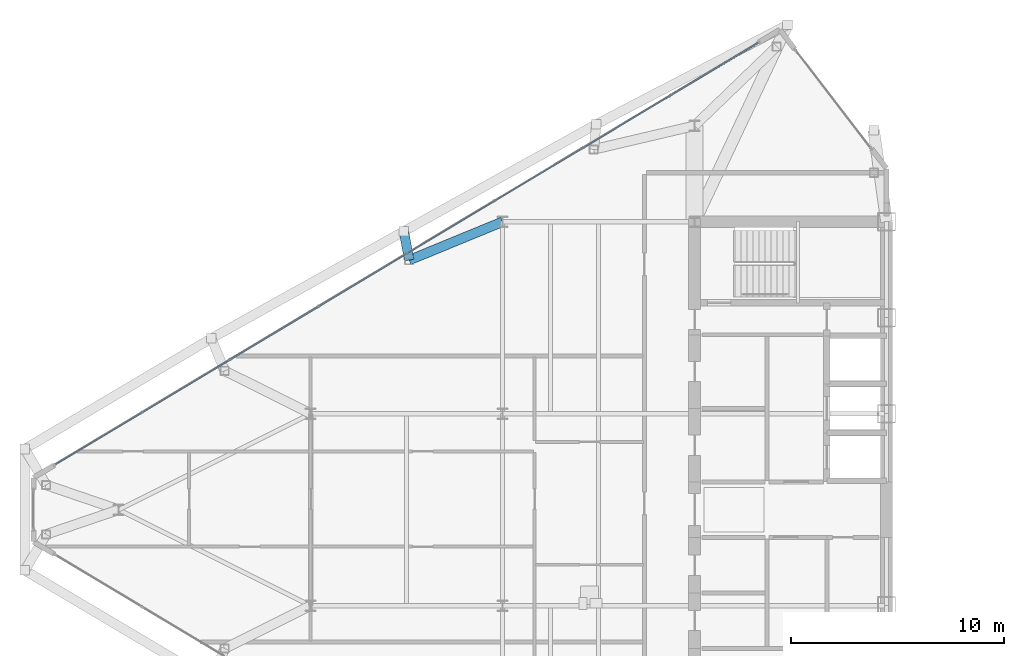
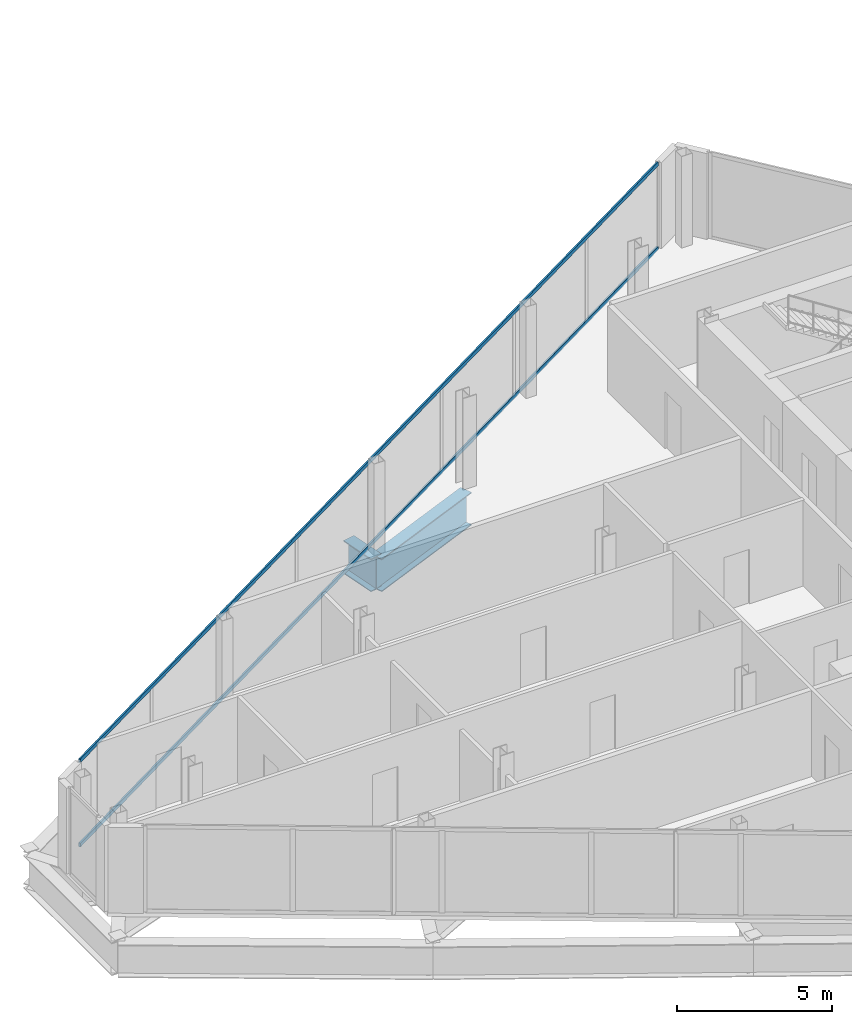
# One storey, part 11 of 29: 2 beams, 2 members, 1 element without a shape of its own.
"""IFC4 building model written with IfcOpenShell, lengths in metres."""

from ifc_helpers import new_model, si_unit, direction, frame, origin, origin_2d, place, context, subcontext, project, spatial, rectangle, i_section, extrude, source, transform, mapped, material, layer, layer_set, material_profile, profile_set, type_object, type_shapes, element, aggregate, save


model = new_model("IFC4")

# Units and contexts
model_context = context("Model", 3, precision=1e-05, world=origin(), true_north=direction((0.0, 1.0)))
body_context = subcontext(model_context, "Body", "Model", "MODEL_VIEW")
ifc_project = project(units=[si_unit("LENGTHUNIT", "METRE"), si_unit("AREAUNIT", "SQUARE_METRE"), si_unit("VOLUMEUNIT", "CUBIC_METRE"), si_unit("PLANEANGLEUNIT", "RADIAN"), si_unit("MASSUNIT", "GRAM", prefix="KILO")], contexts=[model_context])

# Site, building, storey
site_placement = place(None, origin())
site = spatial("IfcSite", under=ifc_project, at=site_placement, CompositionType="ELEMENT")
building_placement = place(site_placement, origin())
building = spatial("IfcBuilding", under=site, at=building_placement, Name="Seokmaru Belvedere", CompositionType="ELEMENT")
storey_placement = place(building_placement, frame((0.0, 0.0, 195.89990234375)))
storey = spatial("IfcBuildingStorey", under=building, at=storey_placement, Name="L52", CompositionType="ELEMENT", Elevation=195.89990234375)

# Beams
ifc_material_1 = material(Name="Steel HSA650 (650 MPa)", Category="steel")
ifc_material_profile_1 = material_profile(ifc_material_1, i_section(OverallWidth=0.449951171875, OverallDepth=1.300048828125, WebThickness=0.02197265625, FlangeThickness=0.0380859375, at=origin_2d()), Name="BH-1300x450x22x38")
ifc_profile_set_1 = profile_set([ifc_material_profile_1], Name="Steel HSA650 (650 MPa)")
beam_type = type_object("IfcBeamType", Name="Observatory Long-Span Roof Girder BH-1300", PredefinedType="BEAM", material=ifc_profile_set_1)
shared_shape_1 = source(origin(), body_context, "Body", "SweptSolid", [
    extrude(i_section(OverallWidth=0.449951171875, OverallDepth=1.300048828125, WebThickness=0.02197265625, FlangeThickness=0.0380859375, at=origin_2d()), origin(), (0.0, 0.0, 1.0), 1.374755859375),
])
beam_1_placement = place(storey_placement, frame((-50.129150390625, 13.051025390625, -0.869873046875), z_axis=(0.181307058967, -0.983426535319, 0.0), x_axis=(0.983426535319, 0.181307058967, 0.0)))
element("IfcBeam", 1, at=beam_1_placement, inside=storey, type_object=beam_type, Name="L52 W Flank Setback Step Girder N-2", PredefinedType="BEAM", context=body_context, shape_type="MappedRepresentation", body=[
    mapped(shared_shape_1, transform((0.0, 0.0, 0.0), scale=1.0)),
])
shared_shape_2 = source(origin(), body_context, "Body", "SweptSolid", [
    extrude(i_section(OverallWidth=0.449951171875, OverallDepth=1.300048828125, WebThickness=0.02197265625, FlangeThickness=0.0380859375, at=origin_2d()), origin(), (0.0, 0.0, 1.0), 4.73583984375),
])
type_shapes(beam_type, [shared_shape_1, shared_shape_2])
beam_2_placement = place(storey_placement, frame((-49.8798828125, 11.698974609375, -0.869873046875), z_axis=(0.924860562953, 0.380306375301, 0.0), x_axis=(-0.380306375301, 0.924860562953, 0.0)))
element("IfcBeam", 2, at=beam_2_placement, inside=storey, type_object=beam_type, Name="L52 W Flank Setback Back-Span Girder N-2", PredefinedType="BEAM", context=body_context, shape_type="MappedRepresentation", body=[
    mapped(shared_shape_2, transform((0.0, 0.0, 0.0), scale=1.0)),
])

# Curtain wall, members
ifc_material_2 = material(Name="Bronze Triple Insulating Glass", Category="glass")
ifc_layer = layer(ifc_material_2, 0.179931640625)
ifc_layer_set = layer_set([ifc_layer], Name="Bronze Triple Insulating Glass")
curtain_wall_type = type_object("IfcCurtainWallType", Name="High-Rise Wind-Corner Curtain Wall System CW-5", PredefinedType="NOTDEFINED", material=ifc_layer_set)
curtain_wall_placement = place(storey_placement, origin())
curtain_wall = element("IfcCurtainWall", 3, at=curtain_wall_placement, inside=storey, type_object=curtain_wall_type, Name="L52 Curtain Wall WF3", PredefinedType="NOTDEFINED")
ifc_material_3 = material(Name="Anodised Bronze Aluminium", Category="aluminium")
ifc_material_profile_2 = material_profile(ifc_material_3, rectangle(XDim=0.06494140625, YDim=0.14990234375, at=origin_2d()), Name="CW-T-65x150")
ifc_profile_set_2 = profile_set([ifc_material_profile_2], Name="Anodised Bronze Aluminium")
member_type = type_object("IfcMemberType", Name="Bronze Unitised Transom 65x150", PredefinedType="USERDEFINED", material=ifc_profile_set_2)
shared_shape_3 = source(origin(), body_context, "Body", "SweptSolid", [
    extrude(rectangle(XDim=0.06494140625, YDim=0.14990234375, at=origin_2d()), origin(), (0.0, 0.0, 1.0), 38.386962890625),
])
type_shapes(member_type, [shared_shape_3])
member_1_placement = place(storey_placement, frame((-33.541748046875, 21.875, 0.03271484375), z_axis=(-0.85749180336, -0.514497626011, 0.0), x_axis=(0.514497626011, -0.85749180336, 0.0)))
member_1 = element("IfcMember", 4, at=member_1_placement, type_object=member_type, Name="CW:L52:WF3 Continuous Transom 1", ObjectType="TRANSOM", PredefinedType="USERDEFINED", context=body_context, shape_type="MappedRepresentation", body=[
    mapped(shared_shape_3, transform((0.0, 0.0, 0.0), scale=1.0)),
])
member_2_placement = place(storey_placement, frame((-33.541748046875, 21.875, 3.34765625), z_axis=(-0.85749180336, -0.514497626011, 0.0), x_axis=(0.514497626011, -0.85749180336, 0.0)))
member_2 = element("IfcMember", 5, at=member_2_placement, type_object=member_type, Name="CW:L52:WF3 Continuous Transom 2", ObjectType="TRANSOM", PredefinedType="USERDEFINED", context=body_context, shape_type="MappedRepresentation", body=[
    mapped(shared_shape_3, transform((0.0, 0.0, 0.0), scale=1.0)),
])
aggregate(curtain_wall, [member_1, member_2])

save(model, "model.ifc")
